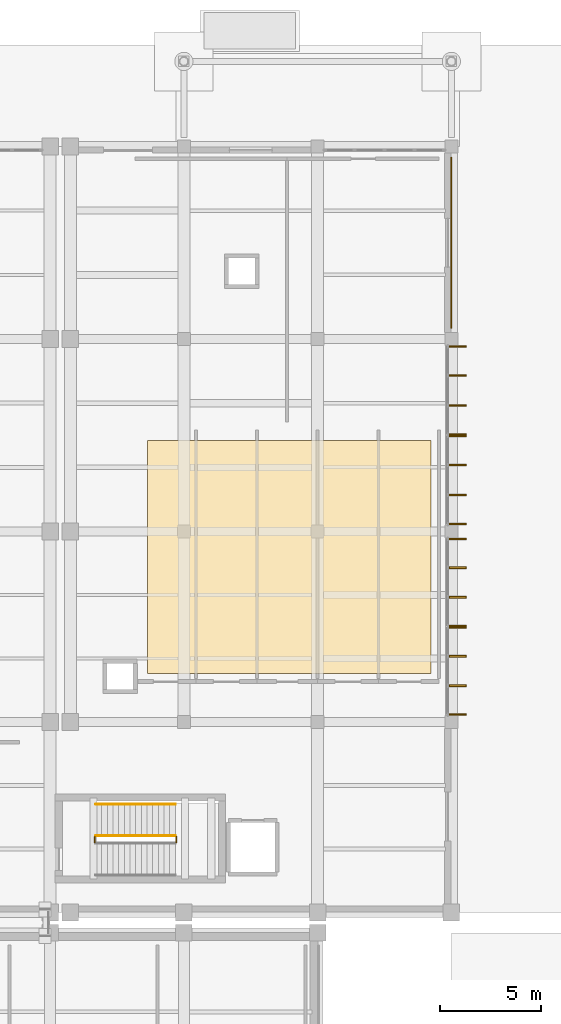
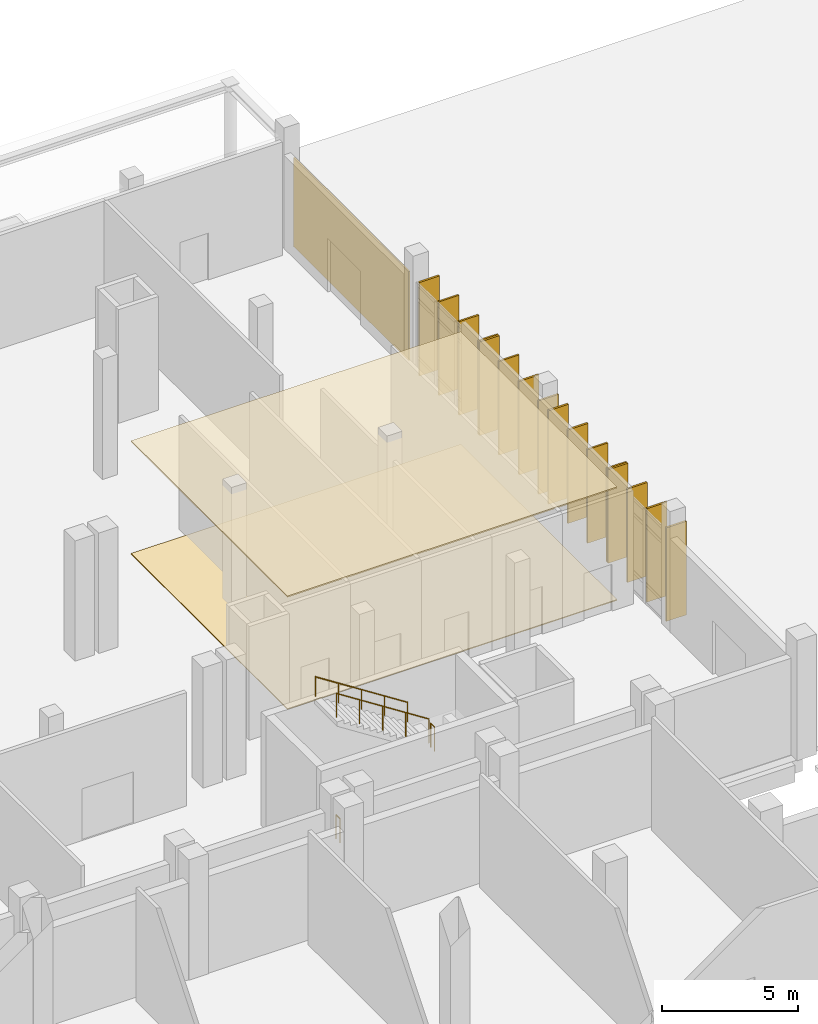
# One storey, part 78 of 79: 16 shading devices, 4 railings, 3 coverings.
"""IFC4 building model written with IfcOpenShell, lengths in metres."""

from ifc_helpers import new_model, si_unit, direction, frame, origin, origin_2d, place, context, subcontext, project, spatial, polyline, rectangle, circle, outline, extrude, material, layer, layer_set, type_object, element, save


model = new_model("IFC4")

# Units and contexts
model_context = context("Model", 3, precision=1e-05, world=origin(), true_north=direction((0.0, 1.0)))
body_context = subcontext(model_context, "Body", "Model", "MODEL_VIEW")
ifc_project = project(units=[si_unit("LENGTHUNIT", "METRE"), si_unit("AREAUNIT", "SQUARE_METRE"), si_unit("VOLUMEUNIT", "CUBIC_METRE"), si_unit("PLANEANGLEUNIT", "RADIAN"), si_unit("MASSUNIT", "GRAM", prefix="KILO")], contexts=[model_context])

# Site, building, storey
site_placement = place(None, origin())
site = spatial("IfcSite", under=ifc_project, at=site_placement, CompositionType="ELEMENT")
building_placement = place(site_placement, origin())
building = spatial("IfcBuilding", under=site, at=building_placement, Name="Kelarvand Opera House", CompositionType="ELEMENT")
storey_placement = place(building_placement, origin())
storey = spatial("IfcBuildingStorey", under=building, at=storey_placement, Name="L00", CompositionType="ELEMENT", Elevation=0.0)

# Covering
ifc_material_1 = material(Name="Azarshahr buff travertine stone panels", Category="masonry")
ifc_layer_1 = layer(ifc_material_1, 0.06005859375, Name="Azarshahr buff travertine stone panels", Category="masonry")
ifc_layer_set_1 = layer_set([ifc_layer_1], Name="Azarshahr buff travertine stone panels")
covering_type_1 = type_object("IfcCoveringType", Name="Azarshahr Honed Travertine Rainscreen Cladding 60mm", PredefinedType="CLADDING", material=ifc_layer_set_1)
covering_1_placement = place(storey_placement, frame((135.196044921875, 120.25, 0.10009765625), z_axis=(0.0, 0.0, 1.0), x_axis=(0.0, -1.0, 0.0)))
element("IfcCovering", 1, at=covering_1_placement, inside=storey, type_object=covering_type_1, Name="V5 Travertine Facade Cladding 21", PredefinedType="CLADDING", context=body_context, shape_type="SweptSolid", body=[
    extrude(rectangle(XDim=8.449951171875, YDim=0.06005859375, at=origin_2d()), origin(), (0.0, 0.0, 1.0), 3.991943359375),
])

# Railing
ifc_material_2 = material(Name="Brushed bronze tubular rail")
railing_type_1 = type_object("IfcRailingType", Name="Brushed Bronze Stair Wall Handrail 900", PredefinedType="HANDRAIL", material=ifc_material_2)
railing_1_placement = place(storey_placement, frame((121.580078125, 92.550048828125, 2.8798828125)))
element("IfcRailing", 2, at=railing_1_placement, inside=storey, type_object=railing_type_1, Name="L00 ST-07 stair handrail 2", PredefinedType="HANDRAIL", context=body_context, shape_type="SweptSolid", body=[
    extrude(circle(Radius=0.02392578125, at=origin_2d()), frame((0.0, 0.0, 0.8759765625), z_axis=(-0.841186985886, 0.0, 0.540744352514), x_axis=(0.0, -1.0, 0.0)), (0.0, 0.0, 1.0), 4.660400390625),
    extrude(circle(Radius=0.02099609375, at=origin_2d()), origin(), (0.0, 0.0, 1.0), 0.851806640625),
    extrude(circle(Radius=0.02099609375, at=origin_2d()), frame((-0.97998046875, 0.0, 0.6298828125)), (0.0, 0.0, 1.0), 0.851806640625),
    extrude(circle(Radius=0.02099609375, at=origin_2d()), frame((-1.9599609375, 0.0, 1.260009765625)), (0.0, 0.0, 1.0), 0.851806640625),
    extrude(circle(Radius=0.02099609375, at=origin_2d()), frame((-2.940185546875, 0.0, 1.89013671875)), (0.0, 0.0, 1.0), 0.851806640625),
    extrude(circle(Radius=0.02099609375, at=origin_2d()), frame((-3.920166015625, 0.0, 2.52001953125)), (0.0, 0.0, 1.0), 0.851806640625),
])

# Covering
ifc_material_3 = material(Name="Honed Azarshahr travertine stone flooring", Category="masonry")
ifc_layer_2 = layer(ifc_material_3, 0.0400390625, Name="Honed Azarshahr travertine stone flooring", Category="masonry")
ifc_layer_set_2 = layer_set([ifc_layer_2], Name="Honed Azarshahr travertine stone flooring")
covering_type_2 = type_object("IfcCoveringType", Name="Honed Azarshahr Travertine Foyer Flooring 40mm", PredefinedType="FLOORING", material=ifc_layer_set_2)
covering_2_placement = place(storey_placement, origin())
element("IfcCovering", 3, at=covering_2_placement, inside=storey, type_object=covering_type_2, Name="V5 L00 Architectural Flooring 11", PredefinedType="FLOORING", context=body_context, shape_type="SweptSolid", body=[
    extrude(outline(polyline([(120.199951171875, 99.0), (134.199951171875, 99.0), (134.199951171875, 110.5), (120.199951171875, 110.5), (120.199951171875, 99.0)])), origin(), (0.0, 0.0, 1.0), 0.0400390625),
])

# Railings
ifc_material_4 = material(Name="Powder-coated Steel S355", Category="steel")
railing_type_2 = type_object("IfcRailingType", Name="Painted Steel Stair and Void Guardrail 1100", PredefinedType="GUARDRAIL", material=ifc_material_4)
railing_2_placement = place(storey_placement, frame((121.6298828125, 90.659912109375, 2.699951171875)))
element("IfcRailing", 4, at=railing_2_placement, inside=storey, type_object=railing_type_2, Name="L00 ST-07 stair guard 2", PredefinedType="GUARDRAIL", context=body_context, shape_type="SweptSolid", body=[
    extrude(circle(Radius=0.02392578125, at=origin_2d()), frame((0.0, 0.0, 1.076171875), z_axis=(0.0, 1.0, 0.0), x_axis=(-1.0, 0.0, 0.0)), (0.0, 0.0, 1.0), 0.280029296875),
    extrude(circle(Radius=0.02099609375, at=origin_2d()), origin(), (0.0, 0.0, 1.0), 1.052001953125),
    extrude(circle(Radius=0.02099609375, at=origin_2d()), frame((0.0, 0.280029296875, 0.0)), (0.0, 0.0, 1.0), 1.052001953125),
])
railing_3_placement = place(storey_placement, frame((121.580078125, 90.989990234375, 2.8798828125)))
element("IfcRailing", 5, at=railing_3_placement, inside=storey, type_object=railing_type_2, Name="L00 ST-07 stair guard 3", PredefinedType="GUARDRAIL", context=body_context, shape_type="SweptSolid", body=[
    extrude(circle(Radius=0.02392578125, at=origin_2d()), frame((0.0, 0.0, 1.076171875), z_axis=(-0.841186985886, 0.0, 0.540744352514), x_axis=(0.0, -1.0, 0.0)), (0.0, 0.0, 1.0), 4.660400390625),
    extrude(circle(Radius=0.02099609375, at=origin_2d()), origin(), (0.0, 0.0, 1.0), 1.052001953125),
    extrude(circle(Radius=0.02099609375, at=origin_2d()), frame((-0.97998046875, 0.0, 0.6298828125)), (0.0, 0.0, 1.0), 1.052001953125),
    extrude(circle(Radius=0.02099609375, at=origin_2d()), frame((-1.9599609375, 0.0, 1.260009765625)), (0.0, 0.0, 1.0), 1.052001953125),
    extrude(circle(Radius=0.02099609375, at=origin_2d()), frame((-2.940185546875, 0.0, 1.89013671875)), (0.0, 0.0, 1.0), 1.052001953125),
    extrude(circle(Radius=0.02099609375, at=origin_2d()), frame((-3.920166015625, 0.0, 2.52001953125)), (0.0, 0.0, 1.0), 1.052001953125),
])
railing_4_placement = place(storey_placement, frame((117.610107421875, 90.659912109375, 0.0)))
element("IfcRailing", 6, at=railing_4_placement, inside=storey, type_object=railing_type_2, Name="L00 ST-07 stair guard 4", PredefinedType="GUARDRAIL", context=body_context, shape_type="SweptSolid", body=[
    extrude(circle(Radius=0.02392578125, at=origin_2d()), frame((0.0, 0.0, 1.076171875), z_axis=(0.0, 1.0, 0.0), x_axis=(-1.0, 0.0, 0.0)), (0.0, 0.0, 1.0), 0.280029296875),
    extrude(circle(Radius=0.02099609375, at=origin_2d()), origin(), (0.0, 0.0, 1.0), 1.052001953125),
    extrude(circle(Radius=0.02099609375, at=origin_2d()), frame((0.0, 0.280029296875, 0.0)), (0.0, 0.0, 1.0), 1.052001953125),
])

# Covering
ifc_material_5 = material(Name="Perforated walnut acoustic slats on steel sub-frame", Category="steel")
ifc_layer_3 = layer(ifc_material_5, 0.06005859375, Name="Perforated walnut acoustic slats on steel sub-frame", Category="steel")
ifc_layer_set_3 = layer_set([ifc_layer_3], Name="Perforated walnut acoustic slats on steel sub-frame")
covering_type_3 = type_object("IfcCoveringType", Name="Sculpted Timber Acoustic Soffit and Hall Ceiling 60mm", PredefinedType="CEILING", material=ifc_layer_set_3)
covering_3_placement = place(storey_placement, frame((0.0, 0.0, 5.0400390625)))
element("IfcCovering", 7, at=covering_3_placement, inside=storey, type_object=covering_type_3, Name="V5 L00 Acoustic Walnut Ceiling 7", PredefinedType="CEILING", context=body_context, shape_type="SweptSolid", body=[
    extrude(outline(polyline([(120.199951171875, 99.0), (134.199951171875, 99.0), (134.199951171875, 110.5), (120.199951171875, 110.5), (120.199951171875, 99.0)])), origin(), (0.0, 0.0, 1.0), 0.06005859375),
])

# Shading devices
ifc_material_6 = material(Name="Bronze-framed Azarshahr travertine fin", Category="masonry")
ifc_layer_4 = layer(ifc_material_6, 0.080078125, Name="Bronze-framed Azarshahr travertine fin", Category="masonry")
ifc_layer_set_4 = layer_set([ifc_layer_4], Name="Bronze-framed Azarshahr travertine fin")
shading_device_type = type_object("IfcShadingDeviceType", Name="Vertical Travertine-Bronze Solar Fin 850x80", PredefinedType="USERDEFINED", material=ifc_layer_set_4)
for number, where, z_axis, x_axis, name in (
    (8, (135.52001953125, 115.132568359375, 0.0), (0.0, 0.0, 1.0), (1.0, 0.0, 0.0), "V5 Solar Fin 155"),
    (9, (135.52001953125, 113.694580078125, 0.0), (0.0, 0.0, 1.0), (1.0, 0.0, 0.0), "V5 Solar Fin 156"),
    (10, (135.52001953125, 112.224365234375, 0.0), (0.0, 0.0, 1.0), (1.0, 0.0, 0.0), "V5 Solar Fin 157"),
    (11, (135.52001953125, 110.78662109375, 0.0), (0.0, 0.0, 1.0), (1.0, 0.0, 0.0), "V5 Solar Fin 158"),
    (12, (135.52001953125, 110.717529296875, 0.0), (0.0, 0.0, 1.0), (1.0, 0.0, 0.0), "V5 Solar Fin 159"),
    (13, (135.52001953125, 109.2783203125, 0.0), (0.0, 0.0, 1.0), (1.0, 0.0, 0.0), "V5 Solar Fin 160"),
    (14, (135.52001953125, 107.806640625, 0.0), (0.0, 0.0, 1.0), (1.0, 0.0, 0.0), "V5 Solar Fin 161"),
    (15, (135.52001953125, 106.367431640625, 0.0), (0.0, 0.0, 1.0), (1.0, 0.0, 0.0), "V5 Solar Fin 162"),
    (16, (135.52001953125, 105.632568359375, 0.0), (0.0, 0.0, 1.0), (1.0, 0.0, 0.0), "V5 Solar Fin 163"),
    (17, (135.52001953125, 104.211181640625, 0.0), (0.0, 0.0, 1.0), (1.0, 0.0, 0.0), "V5 Solar Fin 164"),
    (18, (135.52001953125, 102.7578125, 0.0), (0.0, 0.0, 1.0), (1.0, 0.0, 0.0), "V5 Solar Fin 165"),
    (19, (135.52001953125, 101.33642578125, 0.0), (0.0, 0.0, 1.0), (1.0, 0.0, 0.0), "V5 Solar Fin 166"),
    (20, (135.52001953125, 101.267578125, 0.0), (0.0, 0.0, 1.0), (1.0, 0.0, 0.0), "V5 Solar Fin 167"),
    (21, (135.52001953125, 99.844970703125, 0.0), (0.0, 0.0, 1.0), (1.0, 0.0, 0.0), "V5 Solar Fin 168"),
    (22, (135.52001953125, 98.389892578125, 0.0), (0.0, 0.0, 1.0), (1.0, 0.0, 0.0), "V5 Solar Fin 169"),
    (23, (135.52001953125, 96.967529296875, 0.0), (0.0, 0.0, 1.0), (1.0, 0.0, 0.0), "V5 Solar Fin 170"),
):
    element("IfcShadingDevice", number, at=place(storey_placement, frame(where, z_axis=z_axis, x_axis=x_axis)), inside=storey, type_object=shading_device_type, Name=name, ObjectType="FIN", PredefinedType="USERDEFINED", context=body_context, shape_type="SweptSolid", body=[
        extrude(rectangle(XDim=0.85009765625, YDim=0.080078125, at=origin_2d()), origin(), (0.0, 0.0, 1.0), 4.199951171875),
    ])

save(model, "model.ifc")
